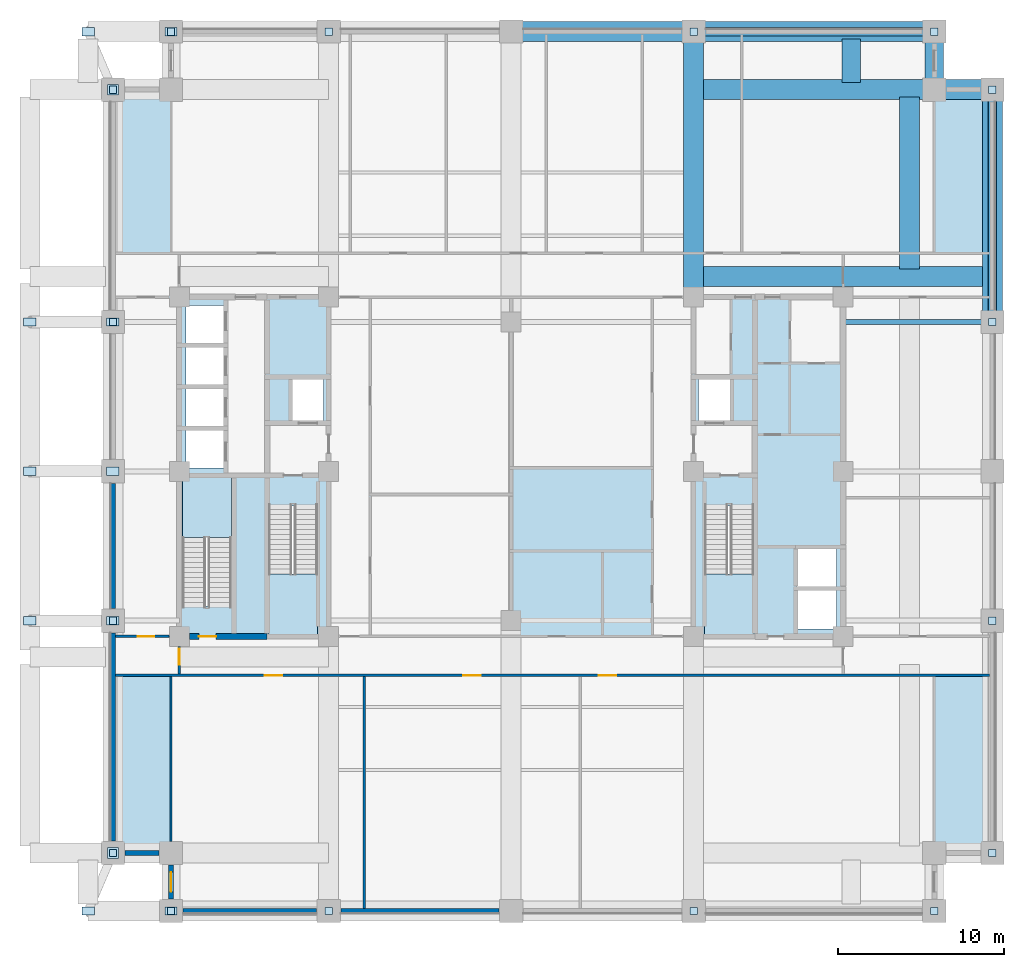
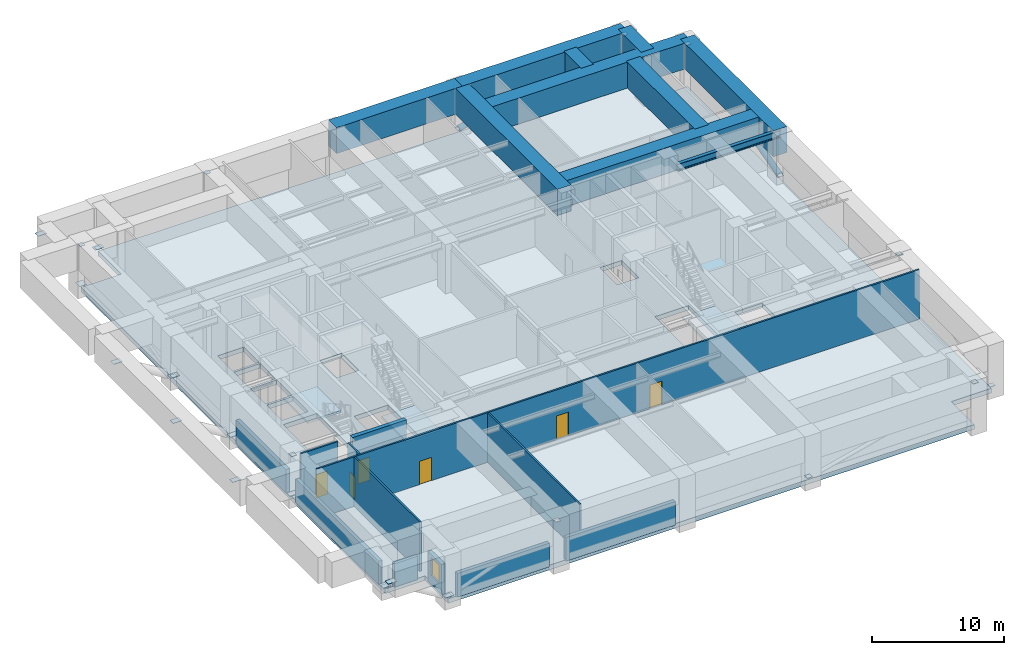
# One storey, part 2 of 11: 28 plates, 12 walls, 10 beams, 6 doors, 4 slabs, 2 members, 1 window, 7 openings, 3 elements without a shape of their own.
"""IFC4 building model written with IfcOpenShell, lengths in metres."""

from ifc_helpers import new_model, si_unit, direction, frame, frame_2d, origin, origin_2d, place, context, subcontext, project, spatial, polyline, rectangle, hollow_circle, i_section, outline, extrude, material, layer, layer_set, material_profile, profile_set, type_object, element, fill, aggregate, save


model = new_model("IFC4")

# Units and contexts
model_context = context("Model", 3, precision=1e-05, world=origin(), true_north=direction((0.0, 1.0)))
body_context = subcontext(model_context, "Body", "Model", "MODEL_VIEW")
ifc_project = project(units=[si_unit("LENGTHUNIT", "METRE"), si_unit("AREAUNIT", "SQUARE_METRE"), si_unit("VOLUMEUNIT", "CUBIC_METRE"), si_unit("PLANEANGLEUNIT", "RADIAN"), si_unit("MASSUNIT", "GRAM", prefix="KILO")], contexts=[model_context])

# Site, building, storey
site_placement = place(None, origin())
site = spatial("IfcSite", under=ifc_project, at=site_placement, CompositionType="ELEMENT")
building_placement = place(site_placement, origin())
building = spatial("IfcBuilding", under=site, at=building_placement, Name="Zulmaris Gate Convention Tower", CompositionType="ELEMENT")
storey_placement = place(building_placement, frame((0.0, 0.0, 52.18994140625)))
storey = spatial("IfcBuildingStorey", under=building, at=storey_placement, Name="L12", CompositionType="ELEMENT", Elevation=52.18994140625)

# Beams
ifc_material_1 = material(Name="Steel S355", Category="steel")
ifc_material_profile_1 = material_profile(ifc_material_1, i_section(OverallWidth=0.300048828125, OverallDepth=0.64990234375, WebThickness=0.01611328125, FlangeThickness=0.031005859375, FilletRadius=0.027099609375, at=origin_2d()), Name="HEB 650")
ifc_profile_set_1 = profile_set([ifc_material_profile_1], Name="Steel S355")
beam_type_1 = type_object("IfcBeamType", Name="BM-HEB650", PredefinedType="BEAM", material=ifc_profile_set_1)
beam_1_placement = place(storey_placement, frame((20.0, 9.0, 4.212890625), z_axis=(1.0, 0.0, 0.0), x_axis=(0.0, 1.0, 0.0)))
element("IfcBeam", 1, at=beam_1_placement, inside=storey, type_object=beam_type_1, Name="L12 Beam BM-L12-G21", PredefinedType="BEAM", context=body_context, shape_type="SweptSolid", body=[
    extrude(i_section(OverallWidth=0.300048828125, OverallDepth=0.64990234375, WebThickness=0.01611328125, FlangeThickness=0.031005859375, FilletRadius=0.027099609375, at=origin_2d()), origin(), (0.0, 0.0, 1.0), 9.0),
])
ifc_material_2 = material(Name="Concrete C80/95", Category="concrete")
ifc_material_profile_2 = material_profile(ifc_material_2, rectangle(XDim=1.10009765625, YDim=1.800048828125, at=origin_2d()), Name="RC TRANSFER 1100x1800")
ifc_profile_set_2 = profile_set([ifc_material_profile_2], Name="Concrete C80/95")
beam_type_2 = type_object("IfcBeamType", Name="BM-XFER1800", PredefinedType="BEAM", material=ifc_profile_set_2)
beam_2_placement = place(storey_placement, frame((25.5, 23.0, 3.675048828125), z_axis=(0.0, 1.0, 0.0), x_axis=(-1.0, 0.0, 0.0)))
element("IfcBeam", 2, at=beam_2_placement, inside=storey, type_object=beam_type_2, Name="L12 Beam XFCOLV-L12-CXEN", PredefinedType="BEAM", context=body_context, shape_type="SweptSolid", body=[
    extrude(rectangle(XDim=1.10009765625, YDim=1.800048828125, at=origin_2d()), origin(), (0.0, 0.0, 1.0), 3.5),
])
beam_3_placement = place(storey_placement, frame((20.5, 23.43505859375, 3.675048828125), z_axis=(0.0, 1.0, 0.0), x_axis=(-1.0, 0.0, 0.0)))
element("IfcBeam", 3, at=beam_3_placement, inside=storey, type_object=beam_type_2, Name="L12 Beam XFNCH-L12-EC-+23.0", PredefinedType="BEAM", context=body_context, shape_type="SweptSolid", body=[
    extrude(rectangle(XDim=1.10009765625, YDim=1.800048828125, at=origin_2d()), origin(), (0.0, 0.0, 1.0), 2.6298828125),
])
ifc_material_profile_3 = material_profile(ifc_material_2, rectangle(XDim=1.199951171875, YDim=2.39990234375, at=origin_2d()), Name="RC TRANSFER 1200x2400")
ifc_profile_set_3 = profile_set([ifc_material_profile_3], Name="Concrete C80/95")
beam_type_3 = type_object("IfcBeamType", Name="BM-XFER2400", PredefinedType="BEAM", material=ifc_profile_set_3)
beam_4_placement = place(storey_placement, frame((29.0, 9.0, 3.375), z_axis=(0.0, 1.0, 0.0), x_axis=(-1.0, 0.0, 0.0)))
element("IfcBeam", 4, at=beam_4_placement, inside=storey, type_object=beam_type_3, Name="L12 Beam XFCOLV-L12-XEN", PredefinedType="BEAM", context=body_context, shape_type="SweptSolid", body=[
    extrude(rectangle(XDim=1.199951171875, YDim=2.39990234375, at=origin_2d()), origin(), (0.0, 0.0, 1.0), 14.0),
])
beam_5_placement = place(storey_placement, frame((11.0, 10.5, 3.375), z_axis=(0.0, 1.0, 0.0), x_axis=(-1.0, 0.0, 0.0)))
element("IfcBeam", 5, at=beam_5_placement, inside=storey, type_object=beam_type_3, Name="L12 Beam XFCOLV-L12-C11EN", PredefinedType="BEAM", context=body_context, shape_type="SweptSolid", body=[
    extrude(rectangle(XDim=1.199951171875, YDim=2.39990234375, at=origin_2d()), origin(), (0.0, 0.0, 1.0), 16.0),
])
for number, where, z_axis, x_axis, name in (
    (6, (11.0, 11.75, 3.375), (1.0, 0.0, 0.0), (0.0, 1.0, 0.0), "L12 Beam XFREC-L12-E-+11.75"),
    (7, (11.0, 23.0, 3.375), (1.0, 0.0, 0.0), (0.0, 1.0, 0.0), "L12 Beam XFREC-L12-E-+23.00"),
):
    element("IfcBeam", number, at=place(storey_placement, frame(where, z_axis=z_axis, x_axis=x_axis)), inside=storey, type_object=beam_type_3, Name=name, PredefinedType="BEAM", context=body_context, shape_type="SweptSolid", body=[
        extrude(rectangle(XDim=1.199951171875, YDim=2.39990234375, at=origin_2d()), origin(), (0.0, 0.0, 1.0), 18.0),
    ])
beam_6_placement = place(storey_placement, frame((24.0, 12.18505859375, 3.375), z_axis=(0.0, 1.0, 0.0), x_axis=(-1.0, 0.0, 0.0)))
element("IfcBeam", 8, at=beam_6_placement, inside=storey, type_object=beam_type_3, Name="L12 Beam XFEDG-L12-EN", PredefinedType="BEAM", context=body_context, shape_type="SweptSolid", body=[
    extrude(rectangle(XDim=1.199951171875, YDim=2.39990234375, at=origin_2d()), origin(), (0.0, 0.0, 1.0), 10.3798828125),
])
beam_7_placement = place(storey_placement, frame((11.0, 26.5, 3.375), z_axis=(1.0, 0.0, 0.0), x_axis=(0.0, 1.0, 0.0)))
element("IfcBeam", 9, at=beam_7_placement, inside=storey, type_object=beam_type_3, Name="L12 Beam XFREC-L12-EC-+26.5", PredefinedType="BEAM", context=body_context, shape_type="SweptSolid", body=[
    extrude(rectangle(XDim=1.199951171875, YDim=2.39990234375, at=origin_2d()), origin(), (0.0, 0.0, 1.0), 14.5),
])
beam_8_placement = place(storey_placement, frame((0.0, 26.5, 3.375), z_axis=(1.0, 0.0, 0.0), x_axis=(0.0, 1.0, 0.0)))
element("IfcBeam", 10, at=beam_8_placement, inside=storey, type_object=beam_type_3, Name="L12 Beam XFREC-L12-M2-+26.5", PredefinedType="BEAM", context=body_context, shape_type="SweptSolid", body=[
    extrude(rectangle(XDim=1.199951171875, YDim=2.39990234375, at=origin_2d()), origin(), (0.0, 0.0, 1.0), 11.0),
])

# Members
ifc_material_3 = material(Name="Steel S460", Category="steel")
ifc_material_profile_4 = material_profile(ifc_material_3, hollow_circle(Radius=0.25390625, WallThickness=0.02490234375, at=origin_2d()), Name="CHS 508x25")
ifc_profile_set_4 = profile_set([ifc_material_profile_4], Name="Steel S460")
member_type = type_object("IfcMemberType", Name="BR-CHS508", PredefinedType="BRACE", material=ifc_profile_set_4)
member_1_placement = place(storey_placement, frame((29.0, 9.0, 0.300048828125), z_axis=(0.0, 0.967569054531, 0.252606660076), x_axis=(-1.0, 0.0, 0.0)))
element("IfcMember", 11, at=member_1_placement, inside=storey, type_object=member_type, Name="L12 Perimeter Tube Diagonal NE-E", PredefinedType="BRACE", context=body_context, shape_type="SweptSolid", body=[
    extrude(hollow_circle(Radius=0.25390625, WallThickness=0.02490234375, at=origin_2d()), origin(), (0.0, 0.0, 1.0), 14.46923828125),
])
member_2_placement = place(storey_placement, frame((11.0, 26.5, 0.300048828125), z_axis=(0.969668148656, 0.0, 0.244425206316), x_axis=(0.0, 1.0, 0.0)))
element("IfcMember", 12, at=member_2_placement, inside=storey, type_object=member_type, Name="L12 Perimeter Tube Diagonal NE-N", PredefinedType="BRACE", context=body_context, shape_type="SweptSolid", body=[
    extrude(hollow_circle(Radius=0.25390625, WallThickness=0.02490234375, at=origin_2d()), origin(), (0.0, 0.0, 1.0), 14.95361328125),
])

# Plates
ifc_layer_1 = layer(ifc_material_3, 0.02490234375, Name="Steel S460")
ifc_layer_set_1 = layer_set([ifc_layer_1], Name="Steel S460")
plate_type_1 = type_object("IfcPlateType", Name="NP-CAP-440", PredefinedType="USERDEFINED", material=ifc_layer_set_1)
for number, where, z_axis, x_axis, name in (
    (13, (-24.0, -23.0, 0.28759765625), (0.0, 0.0, 1.0), (1.0, 0.0, 0.0), "L12 Steel Node Plate PBR-L12-SW-W-CAP"),
    (14, (-24.0, -9.0, 3.942626953125), (0.0, 0.0, 1.0), (1.0, 0.0, 0.0), "L12 Steel Node Plate PBR-L12-SW-W-CAPB"),
    (15, (-24.0, 9.0, 0.28759765625), (0.0, 0.0, 1.0), (1.0, 0.0, 0.0), "L12 Steel Node Plate PBR-L12-NW-W-CAP"),
    (16, (-24.0, 23.0, 3.942626953125), (0.0, 0.0, 1.0), (1.0, 0.0, 0.0), "L12 Steel Node Plate PBR-L12-NW-W-CAPB"),
    (17, (29.0, -23.0, 0.28759765625), (0.0, 0.0, 1.0), (1.0, 0.0, 0.0), "L12 Steel Node Plate PBR-L12-SE-E-CAP"),
    (18, (29.0, -9.0, 3.942626953125), (0.0, 0.0, 1.0), (1.0, 0.0, 0.0), "L12 Steel Node Plate PBR-L12-SE-E-CAPB"),
    (19, (29.0, 9.0, 0.28759765625), (0.0, 0.0, 1.0), (1.0, 0.0, 0.0), "L12 Steel Node Plate PBR-L12-NE-E-CAP"),
    (20, (29.0, 23.0, 3.942626953125), (0.0, 0.0, 1.0), (1.0, 0.0, 0.0), "L12 Steel Node Plate PBR-L12-NE-E-CAPB"),
    (21, (-20.5, -26.5, 0.28759765625), (0.0, 0.0, 1.0), (1.0, 0.0, 0.0), "L12 Steel Node Plate PBR-L12-SW-S-CAP"),
    (22, (-11.0, -26.5, 3.942626953125), (0.0, 0.0, 1.0), (1.0, 0.0, 0.0), "L12 Steel Node Plate PBR-L12-SW-S-CAPB"),
    (23, (11.0, -26.5, 0.28759765625), (0.0, 0.0, 1.0), (1.0, 0.0, 0.0), "L12 Steel Node Plate PBR-L12-SE-S-CAP"),
    (24, (25.5, -26.5, 3.942626953125), (0.0, 0.0, 1.0), (1.0, 0.0, 0.0), "L12 Steel Node Plate PBR-L12-SE-S-CAPB"),
    (25, (-20.5, 26.5, 0.28759765625), (0.0, 0.0, 1.0), (1.0, 0.0, 0.0), "L12 Steel Node Plate PBR-L12-NW-N-CAP"),
    (26, (-11.0, 26.5, 3.942626953125), (0.0, 0.0, 1.0), (1.0, 0.0, 0.0), "L12 Steel Node Plate PBR-L12-NW-N-CAPB"),
    (27, (11.0, 26.5, 0.28759765625), (0.0, 0.0, 1.0), (1.0, 0.0, 0.0), "L12 Steel Node Plate PBR-L12-NE-N-CAP"),
    (28, (25.5, 26.5, 3.942626953125), (0.0, 0.0, 1.0), (1.0, 0.0, 0.0), "L12 Steel Node Plate PBR-L12-NE-N-CAPB"),
):
    element("IfcPlate", number, at=place(storey_placement, frame(where, z_axis=z_axis, x_axis=x_axis)), inside=storey, type_object=plate_type_1, Name=name, ObjectType="FLANGE PLATE", PredefinedType="USERDEFINED", context=body_context, shape_type="SweptSolid", body=[
        extrude(rectangle(XDim=0.43994140625, YDim=0.43994140625, at=origin_2d()), origin(), (0.0, 0.0, 1.0), 0.02490234375),
    ])
ifc_layer_2 = layer(ifc_material_3, 0.034912109375, Name="Steel S460")
ifc_layer_set_2 = layer_set([ifc_layer_2], Name="Steel S460")
plate_type_2 = type_object("IfcPlateType", Name="NP-GUS-650", PredefinedType="USERDEFINED", material=ifc_layer_set_2)
for number, where, z_axis, x_axis, name in (
    (29, (-24.0, -23.0, 0.33251953125), (0.0, 0.0, 1.0), (1.0, 0.0, 0.0), "L12 Steel Node Plate RKR2-L12-WC--26.5-P0"),
    (30, (-24.0, 23.0, 0.33251953125), (0.0, 0.0, 1.0), (1.0, 0.0, 0.0), "L12 Steel Node Plate RKR2-L12-WC-+26.5-P0"),
):
    element("IfcPlate", number, at=place(storey_placement, frame(where, z_axis=z_axis, x_axis=x_axis)), inside=storey, type_object=plate_type_2, Name=name, ObjectType="GUSSET PLATE", PredefinedType="USERDEFINED", context=body_context, shape_type="SweptSolid", body=[
        extrude(rectangle(XDim=0.64990234375, YDim=0.64990234375, at=origin_2d()), origin(), (0.0, 0.0, 1.0), 0.034912109375),
    ])
ifc_layer_3 = layer(ifc_material_3, 0.034912109375, Name="Steel S460")
ifc_layer_set_3 = layer_set([ifc_layer_3], Name="Steel S460")
plate_type_3 = type_object("IfcPlateType", Name="NP-GUS-750", PredefinedType="USERDEFINED", material=ifc_layer_set_3)
for number, where, z_axis, x_axis, name in (
    (31, (-24.0, -9.0, 0.33251953125), (0.0, 0.0, 1.0), (1.0, 0.0, 0.0), "L12 Steel Node Plate RKR-L12-W--9.0-P0"),
    (32, (-29.0, -9.0, 3.357421875), (0.0, 0.0, 1.0), (1.0, 0.0, 0.0), "L12 Steel Node Plate RKR-L12-W--9.0-P1"),
    (33, (-24.0, 0.0, 0.33251953125), (0.0, 0.0, 1.0), (1.0, 0.0, 0.0), "L12 Steel Node Plate RKR-L12-W-+0.0-P0"),
    (34, (-29.0, 0.0, 3.357421875), (0.0, 0.0, 1.0), (1.0, 0.0, 0.0), "L12 Steel Node Plate RKR-L12-W-+0.0-P1"),
    (35, (-24.0, 9.0, 0.33251953125), (0.0, 0.0, 1.0), (1.0, 0.0, 0.0), "L12 Steel Node Plate RKR-L12-W-+9.0-P0"),
    (36, (-29.0, 9.0, 3.357421875), (0.0, 0.0, 1.0), (1.0, 0.0, 0.0), "L12 Steel Node Plate RKR-L12-W-+9.0-P1"),
    (37, (-20.5, -26.5, 0.33251953125), (0.0, 0.0, 1.0), (1.0, 0.0, 0.0), "L12 Steel Node Plate RKR-L12-WC--26.5-P0"),
    (38, (-25.5, -26.5, 3.357421875), (0.0, 0.0, 1.0), (1.0, 0.0, 0.0), "L12 Steel Node Plate RKR-L12-WC--26.5-P1"),
    (39, (-20.5, 26.5, 0.33251953125), (0.0, 0.0, 1.0), (1.0, 0.0, 0.0), "L12 Steel Node Plate RKR-L12-WC-+26.5-P0"),
    (40, (-25.5, 26.5, 3.357421875), (0.0, 0.0, 1.0), (1.0, 0.0, 0.0), "L12 Steel Node Plate RKR-L12-WC-+26.5-P1"),
):
    element("IfcPlate", number, at=place(storey_placement, frame(where, z_axis=z_axis, x_axis=x_axis)), inside=storey, type_object=plate_type_3, Name=name, ObjectType="GUSSET PLATE", PredefinedType="USERDEFINED", context=body_context, shape_type="SweptSolid", body=[
        extrude(rectangle(XDim=0.75, YDim=0.5, at=origin_2d()), origin(), (0.0, 0.0, 1.0), 0.034912109375),
    ])

# Slab
ifc_material_4 = material(Name="Concrete C60/75", Category="concrete")
ifc_layer_4 = layer(ifc_material_4, 0.425048828125, Name="Concrete C60/75")
ifc_layer_set_4 = layer_set([ifc_layer_4], Name="Concrete C60/75")
slab_type_1 = type_object("IfcSlabType", Name="SL-FLR-425", PredefinedType="FLOOR", material=ifc_layer_set_4)
slab_1_placement = place(storey_placement, frame((0.0, 0.0, -0.425048828125)))
element("IfcSlab", 41, at=slab_1_placement, inside=storey, type_object=slab_type_1, Name="L12 Shifted Notched-Square Structural Floor Slab", PredefinedType="FLOOR", context=body_context, shape_type="SweptSolid", body=[
    extrude(outline(polyline([(-20.5, -26.5), (25.5, -26.5), (25.5, -23.0), (29.0, -23.0), (29.0, 23.0), (25.5, 23.0), (25.5, 26.5), (-20.5, 26.5), (-20.5, 23.0), (-24.0, 23.0), (-24.0, -23.0), (-20.5, -23.0), (-20.5, -26.5)]), holes=[polyline([(-14.6201171875, -2.080078125), (-14.6201171875, -9.85009765625), (-11.659912109375, -9.85009765625), (-11.659912109375, -2.080078125), (-14.6201171875, -2.080078125)]), polyline([(11.659912109375, -2.080078125), (11.659912109375, -9.85009765625), (14.6201171875, -9.85009765625), (14.6201171875, -2.080078125), (11.659912109375, -2.080078125)]), polyline([(-16.860107421875, -8.1201171875), (-16.860107421875, -0.35009765625), (-19.820068359375, -0.35009765625), (-19.820068359375, -8.1201171875), (-16.860107421875, -8.1201171875)]), polyline([(-13.199951171875, 3.0), (-11.300048828125, 3.0), (-11.300048828125, 5.60009765625), (-13.199951171875, 5.60009765625), (-13.199951171875, 3.0)]), polyline([(11.300048828125, 3.0), (13.199951171875, 3.0), (13.199951171875, 5.60009765625), (11.300048828125, 5.60009765625), (11.300048828125, 3.0)]), polyline([(-19.60009765625, 0.199951171875), (-17.300048828125, 0.199951171875), (-17.300048828125, 2.5), (-19.60009765625, 2.5), (-19.60009765625, 0.199951171875)]), polyline([(-19.60009765625, 2.699951171875), (-17.300048828125, 2.699951171875), (-17.300048828125, 5.0), (-19.60009765625, 5.0), (-19.60009765625, 2.699951171875)]), polyline([(-19.60009765625, 5.199951171875), (-17.300048828125, 5.199951171875), (-17.300048828125, 7.5), (-19.60009765625, 7.5), (-19.60009765625, 5.199951171875)]), polyline([(-19.60009765625, 7.699951171875), (-17.300048828125, 7.699951171875), (-17.300048828125, 10.0), (-19.60009765625, 10.0), (-19.60009765625, 7.699951171875)]), polyline([(17.199951171875, -9.5), (19.60009765625, -9.5), (19.60009765625, -7.10009765625), (17.199951171875, -7.10009765625), (17.199951171875, -9.5)]), polyline([(17.199951171875, -7.0), (19.60009765625, -7.0), (19.60009765625, -4.60009765625), (17.199951171875, -4.60009765625), (17.199951171875, -7.0)])]), origin(), (0.0, 0.0, 1.0), 0.425048828125),
])

# Stair, slab
ifc_material_5 = material(Name="Concrete C45/55", Category="concrete")
stair_type = type_object("IfcStairType", Name="ST-CORE-DOGLEG", PredefinedType="HALF_TURN_STAIR", material=ifc_material_5)
stair_1_placement = place(storey_placement, origin())
stair_1 = element("IfcStair", 42, at=stair_1_placement, inside=storey, type_object=stair_type, Name="L12 Core Exit Stair ST-1", PredefinedType="HALF_TURN_STAIR")
ifc_layer_5 = layer(ifc_material_5, 0.199951171875, Name="Concrete C45/55")
ifc_layer_set_5 = layer_set([ifc_layer_5], Name="Concrete C45/55")
slab_type_2 = type_object("IfcSlabType", Name="SL-LND-200", PredefinedType="LANDING", material=ifc_layer_set_5)
slab_2_placement = place(storey_placement, frame((0.0, 0.0, 2.300048828125)))
slab_2 = element("IfcSlab", 43, at=slab_2_placement, type_object=slab_type_2, Name="ST-1 landing 1", PredefinedType="LANDING", context=body_context, shape_type="SweptSolid", body=[
    extrude(outline(polyline([(-14.6201171875, -6.199951171875), (-14.6201171875, -9.85009765625), (-11.659912109375, -9.85009765625), (-11.659912109375, -6.199951171875), (-14.6201171875, -6.199951171875)])), origin(), (0.0, 0.0, 1.0), 0.199951171875),
])
aggregate(stair_1, [slab_2])

stair_2_placement = place(storey_placement, origin())
stair_2 = element("IfcStair", 44, at=stair_2_placement, inside=storey, type_object=stair_type, Name="L12 Core Exit Stair ST-2", PredefinedType="HALF_TURN_STAIR")
slab_3_placement = place(storey_placement, frame((0.0, 0.0, 2.300048828125)))
slab_3 = element("IfcSlab", 45, at=slab_3_placement, type_object=slab_type_2, Name="ST-2 landing 1", PredefinedType="LANDING", context=body_context, shape_type="SweptSolid", body=[
    extrude(outline(polyline([(11.659912109375, -6.199951171875), (11.659912109375, -9.85009765625), (14.6201171875, -9.85009765625), (14.6201171875, -6.199951171875), (11.659912109375, -6.199951171875)])), origin(), (0.0, 0.0, 1.0), 0.199951171875),
])
aggregate(stair_2, [slab_3])

stair_3_placement = place(storey_placement, origin())
stair_3 = element("IfcStair", 46, at=stair_3_placement, inside=storey, type_object=stair_type, Name="L12 Core Exit Stair ST-3", PredefinedType="HALF_TURN_STAIR")
slab_4_placement = place(storey_placement, frame((0.0, 0.0, 2.300048828125)))
slab_4 = element("IfcSlab", 47, at=slab_4_placement, type_object=slab_type_2, Name="ST-3 landing 1", PredefinedType="LANDING", context=body_context, shape_type="SweptSolid", body=[
    extrude(outline(polyline([(-16.860107421875, -4.0), (-16.860107421875, -0.35009765625), (-19.820068359375, -0.35009765625), (-19.820068359375, -4.0), (-16.860107421875, -4.0)])), origin(), (0.0, 0.0, 1.0), 0.199951171875),
])
aggregate(stair_3, [slab_4])

# Wall, opening, door
ifc_material_6 = material(Name="Concrete C55/67", Category="concrete")
ifc_layer_6 = layer(ifc_material_6, 0.35009765625, Name="Concrete C55/67")
ifc_layer_set_6 = layer_set([ifc_layer_6], Name="Concrete C55/67")
wall_type_1 = type_object("IfcWallType", Name="CORE-350", PredefinedType="SHEAR", material=ifc_layer_set_6)
wall_1_placement = place(storey_placement, frame((-19.39599609375, -9.949951171875, 0.0), z_axis=(0.0, 0.0, 1.0), x_axis=(1.0, 0.0, 0.0)))
wall_1 = element("IfcWall", 48, at=wall_1_placement, inside=storey, type_object=wall_type_1, Name="WL-L12-001", PredefinedType="SHEAR", context=body_context, shape_type="SweptSolid", body=[
    extrude(rectangle(XDim=4.696044921875, YDim=0.35009765625, at=frame_2d((2.34814453125, 0.0))), origin(), (0.0, 0.0, 1.0), 4.574951171875),
])
opening_1_placement = place(wall_1_placement, frame((0.571044921875, 0.0, 0.0)))
opening_1 = element("IfcOpeningElement", 49, at=opening_1_placement, cuts=wall_1, Name="Opening D-09", PredefinedType="OPENING", context=body_context, shape_type="SweptSolid", body=[
    extrude(rectangle(XDim=1.050048828125, YDim=2.14990234375, at=frame_2d((0.52490234375, 1.074951171875))), frame((0.0, 0.18505859375, 0.0), z_axis=(0.0, -1.0, 0.0), x_axis=(1.0, 0.0, 0.0)), (0.0, 0.0, 1.0), 0.3701171875),
])
ifc_material_7 = material(Name="Fire-Rated Steel", Category="steel")
door_type_1 = type_object("IfcDoorType", Name="DR-1050-FD", OperationType="NOTDEFINED", PredefinedType="DOOR", material=ifc_material_7)
door_1_placement = place(opening_1_placement, origin())
door_1 = element("IfcDoor", 50, at=door_1_placement, inside=storey, type_object=door_type_1, Name="L12 Exit Stair ST-3 Door 10", OperationType="SINGLE_SWING_RIGHT", OverallHeight=2.14990234375, OverallWidth=1.050048828125, PredefinedType="DOOR", context=body_context, shape_type="SweptSolid", body=[
    extrude(rectangle(XDim=1.050048828125, YDim=2.14990234375, at=frame_2d((0.52490234375, 1.074951171875))), frame((0.0, 0.02490234375, 0.0), z_axis=(0.0, -1.0, 0.0), x_axis=(1.0, 0.0, 0.0)), (0.0, 0.0, 1.0), 0.050048828125),
])
fill(opening_1, door_1)

# Wall, openings, doors
ifc_material_8 = material(Name="Gypsum Metal Stud Partition")
ifc_layer_7 = layer(ifc_material_8, 0.14990234375, Name="Gypsum Metal Stud Partition")
ifc_layer_set_7 = layer_set([ifc_layer_7], Name="Gypsum Metal Stud Partition")
wall_type_2 = type_object("IfcWallType", Name="PART-150", PredefinedType="PARTITIONING", material=ifc_layer_set_7)
wall_2_placement = place(storey_placement, frame((-23.8349609375, -12.300048828125, 0.0), z_axis=(0.0, 0.0, 1.0), x_axis=(1.0, 0.0, 0.0)))
wall_2 = element("IfcWall", 51, at=wall_2_placement, inside=storey, type_object=wall_type_2, Name="WL-L12-020", PredefinedType="PARTITIONING", context=body_context, shape_type="SweptSolid", body=[
    extrude(rectangle(XDim=52.669921875, YDim=0.14990234375, at=frame_2d((26.3349609375, 0.0))), origin(), (0.0, 0.0, 1.0), 4.574951171875),
])
opening_2_placement = place(wall_2_placement, frame((8.989990234375, 0.0, 0.0)))
opening_2 = element("IfcOpeningElement", 52, at=opening_2_placement, cuts=wall_2, Name="Opening D-09", PredefinedType="OPENING", context=body_context, shape_type="SweptSolid", body=[
    extrude(rectangle(XDim=1.050048828125, YDim=2.14990234375, at=frame_2d((0.52490234375, 1.074951171875))), frame((0.0, 0.0849609375, 0.0), z_axis=(0.0, -1.0, 0.0), x_axis=(1.0, 0.0, 0.0)), (0.0, 0.0, 1.0), 0.169921875),
])
opening_3_placement = place(wall_2_placement, frame((20.9599609375, 0.0, 0.0)))
opening_3 = element("IfcOpeningElement", 53, at=opening_3_placement, cuts=wall_2, Name="Opening D-09", PredefinedType="OPENING", context=body_context, shape_type="SweptSolid", body=[
    extrude(rectangle(XDim=1.050048828125, YDim=2.14990234375, at=frame_2d((0.52490234375, 1.074951171875))), frame((0.0, 0.0849609375, 0.0), z_axis=(0.0, -1.0, 0.0), x_axis=(1.0, 0.0, 0.0)), (0.0, 0.0, 1.0), 0.169921875),
])
opening_4_placement = place(wall_2_placement, frame((29.110107421875, 0.0, 0.0)))
opening_4 = element("IfcOpeningElement", 54, at=opening_4_placement, cuts=wall_2, Name="Opening D-09", PredefinedType="OPENING", context=body_context, shape_type="SweptSolid", body=[
    extrude(rectangle(XDim=1.050048828125, YDim=2.14990234375, at=frame_2d((0.52490234375, 1.074951171875))), frame((0.0, 0.0849609375, 0.0), z_axis=(0.0, -1.0, 0.0), x_axis=(1.0, 0.0, 0.0)), (0.0, 0.0, 1.0), 0.169921875),
])
door_2_placement = place(opening_2_placement, origin())
door_2 = element("IfcDoor", 55, at=door_2_placement, inside=storey, type_object=door_type_1, Name="L12 Partner Corner Office Door 32", OperationType="SINGLE_SWING_RIGHT", OverallHeight=2.14990234375, OverallWidth=1.050048828125, PredefinedType="DOOR", context=body_context, shape_type="SweptSolid", body=[
    extrude(rectangle(XDim=1.050048828125, YDim=2.14990234375, at=frame_2d((0.52490234375, 1.074951171875))), frame((0.0, 0.02490234375, 0.0), z_axis=(0.0, -1.0, 0.0), x_axis=(1.0, 0.0, 0.0)), (0.0, 0.0, 1.0), 0.050048828125),
])
fill(opening_2, door_2)
door_3_placement = place(opening_3_placement, origin())
door_3 = element("IfcDoor", 56, at=door_3_placement, inside=storey, type_object=door_type_1, Name="L12 Advisory Suite Office Door 33", OperationType="SINGLE_SWING_LEFT", OverallHeight=2.14990234375, OverallWidth=1.050048828125, PredefinedType="DOOR", context=body_context, shape_type="SweptSolid", body=[
    extrude(rectangle(XDim=1.050048828125, YDim=2.14990234375, at=frame_2d((0.52490234375, 1.074951171875))), frame((0.0, 0.02490234375, 0.0), z_axis=(0.0, -1.0, 0.0), x_axis=(1.0, 0.0, 0.0)), (0.0, 0.0, 1.0), 0.050048828125),
])
fill(opening_3, door_3)
door_4_placement = place(opening_4_placement, origin())
door_4 = element("IfcDoor", 57, at=door_4_placement, inside=storey, type_object=door_type_1, Name="L12 Open Plan Workplace Door 34", OperationType="SINGLE_SWING_RIGHT", OverallHeight=2.14990234375, OverallWidth=1.050048828125, PredefinedType="DOOR", context=body_context, shape_type="SweptSolid", body=[
    extrude(rectangle(XDim=1.050048828125, YDim=2.14990234375, at=frame_2d((0.52490234375, 1.074951171875))), frame((0.0, 0.02490234375, 0.0), z_axis=(0.0, -1.0, 0.0), x_axis=(1.0, 0.0, 0.0)), (0.0, 0.0, 1.0), 0.050048828125),
])
fill(opening_4, door_4)

# Wall, opening, door
wall_3_placement = place(storey_placement, frame((-23.8349609375, -9.949951171875, 0.0), z_axis=(0.0, 0.0, 1.0), x_axis=(1.0, 0.0, 0.0)))
wall_3 = element("IfcWall", 58, at=wall_3_placement, inside=storey, type_object=wall_type_2, Name="WL-L12-021", PredefinedType="PARTITIONING", context=body_context, shape_type="SweptSolid", body=[
    extrude(rectangle(XDim=3.22900390625, YDim=0.14990234375, at=frame_2d((1.614501953125, 0.0))), origin(), (0.0, 0.0, 1.0), 4.574951171875),
])
opening_5_placement = place(wall_3_placement, frame((1.3349609375, 0.0, 0.0)))
opening_5 = element("IfcOpeningElement", 59, at=opening_5_placement, cuts=wall_3, Name="Opening D-10", PredefinedType="OPENING", context=body_context, shape_type="SweptSolid", body=[
    extrude(rectangle(XDim=1.0, YDim=2.14990234375, at=frame_2d((0.5, 1.074951171875))), frame((0.0, 0.0849609375, 0.0), z_axis=(0.0, -1.0, 0.0), x_axis=(1.0, 0.0, 0.0)), (0.0, 0.0, 1.0), 0.169921875),
])
ifc_material_9 = material(Name="Fire-Rated Timber", Category="wood")
door_type_2 = type_object("IfcDoorType", Name="DR-1000-FD", OperationType="NOTDEFINED", PredefinedType="DOOR", material=ifc_material_9)
door_5_placement = place(opening_5_placement, origin())
door_5 = element("IfcDoor", 60, at=door_5_placement, inside=storey, type_object=door_type_2, Name="L12 West Workplace South Door 44", OperationType="SINGLE_SWING_RIGHT", OverallHeight=2.14990234375, OverallWidth=1.0, PredefinedType="DOOR", context=body_context, shape_type="SweptSolid", body=[
    extrude(rectangle(XDim=1.0, YDim=2.14990234375, at=frame_2d((0.5, 1.074951171875))), frame((0.0, 0.02490234375, 0.0), z_axis=(0.0, -1.0, 0.0), x_axis=(1.0, 0.0, 0.0)), (0.0, 0.0, 1.0), 0.050048828125),
])
fill(opening_5, door_5)

# Wall
wall_4_placement = place(storey_placement, frame((-20.5, -22.2939453125, 0.0), z_axis=(0.0, 0.0, 1.0), x_axis=(0.0, 1.0, 0.0)))
element("IfcWall", 61, at=wall_4_placement, inside=storey, type_object=wall_type_2, Name="WL-L12-070", PredefinedType="PARTITIONING", context=body_context, shape_type="SweptSolid", body=[
    extrude(rectangle(XDim=9.916015625, YDim=0.14990234375, at=frame_2d((4.9580078125, 0.0))), origin(), (0.0, 0.0, 1.0), 4.574951171875),
])

# Wall, opening, door
wall_5_placement = place(storey_placement, frame((-20.0, -12.221923828125, 0.0), z_axis=(0.0, 0.0, 1.0), x_axis=(0.0, 1.0, 0.0)))
wall_5 = element("IfcWall", 62, at=wall_5_placement, inside=storey, type_object=wall_type_2, Name="WL-L12-072", PredefinedType="PARTITIONING", context=body_context, shape_type="SweptSolid", body=[
    extrude(rectangle(XDim=1.666015625, YDim=0.14990234375, at=frame_2d((0.8330078125, 0.0))), origin(), (0.0, 0.0, 1.0), 4.574951171875),
])
opening_6_placement = place(wall_5_placement, frame((0.56591796875, 0.0, 0.0)))
opening_6 = element("IfcOpeningElement", 63, at=opening_6_placement, cuts=wall_5, Name="Opening D-25", PredefinedType="OPENING", context=body_context, shape_type="SweptSolid", body=[
    extrude(rectangle(XDim=0.949951171875, YDim=2.02001953125, at=frame_2d((0.47509765625, 1.010009765625))), frame((0.0, 0.0849609375, 0.0), z_axis=(0.0, -1.0, 0.0), x_axis=(1.0, 0.0, 0.0)), (0.0, 0.0, 1.0), 0.169921875),
])
door_type_3 = type_object("IfcDoorType", Name="DR-950-LOW-FD", OperationType="NOTDEFINED", PredefinedType="DOOR", material=ifc_material_7)
door_6_placement = place(opening_6_placement, origin())
door_6 = element("IfcDoor", 64, at=door_6_placement, inside=storey, type_object=door_type_3, Name="L12 SW Spur Door 42", OperationType="SINGLE_SWING_RIGHT", OverallHeight=2.02001953125, OverallWidth=0.949951171875, PredefinedType="DOOR", context=body_context, shape_type="SweptSolid", body=[
    extrude(rectangle(XDim=0.949951171875, YDim=2.02001953125, at=frame_2d((0.47509765625, 1.010009765625))), frame((0.0, 0.02490234375, 0.0), z_axis=(0.0, -1.0, 0.0), x_axis=(1.0, 0.0, 0.0)), (0.0, 0.0, 1.0), 0.050048828125),
])
fill(opening_6, door_6)

# Walls
wall_6_placement = place(storey_placement, frame((-8.85009765625, -26.3349609375, 0.0), z_axis=(0.0, 0.0, 1.0), x_axis=(0.0, 1.0, 0.0)))
element("IfcWall", 65, at=wall_6_placement, inside=storey, type_object=wall_type_2, Name="WL-L12-075", PredefinedType="PARTITIONING", context=body_context, shape_type="SweptSolid", body=[
    extrude(rectangle(XDim=13.95703125, YDim=0.14990234375, at=frame_2d((6.978515625, 0.0))), origin(), (0.0, 0.0, 1.0), 4.574951171875),
])
ifc_material_10 = material(Name="Precast concrete C40/50", Category="concrete")
ifc_layer_8 = layer(ifc_material_10, 0.300048828125, Name="Precast concrete C40/50")
ifc_layer_set_8 = layer_set([ifc_layer_8], Name="Precast concrete C40/50")
wall_type_3 = type_object("IfcWallType", Name="PRECAST-PIER-300", PredefinedType="STANDARD", material=ifc_layer_set_8)
wall_7_placement = place(storey_placement, frame((-23.27001953125, -23.0, 0.0), z_axis=(0.0, 0.0, 1.0), x_axis=(1.0, 0.0, 0.0)))
element("IfcWall", 66, at=wall_7_placement, inside=storey, type_object=wall_type_3, Name="EW-L12-NOTCH-SW1_0", PredefinedType="STANDARD", context=body_context, shape_type="SweptSolid", body=[
    extrude(rectangle(XDim=2.0400390625, YDim=0.300048828125, at=frame_2d((1.02001953125, 0.0))), origin(), (0.0, 0.0, 1.0), 2.1669921875),
])

# Wall, opening, window
wall_8_placement = place(storey_placement, frame((-20.5, -23.72998046875, 0.0), z_axis=(0.0, 0.0, 1.0), x_axis=(0.0, -1.0, 0.0)))
wall_8 = element("IfcWall", 67, at=wall_8_placement, inside=storey, type_object=wall_type_3, Name="EW-L12-NOTCH-SW2_0", PredefinedType="STANDARD", context=body_context, shape_type="SweptSolid", body=[
    extrude(rectangle(XDim=2.0400390625, YDim=0.300048828125, at=frame_2d((1.02001953125, 0.0))), origin(), (0.0, 0.0, 1.0), 2.766845703125),
])
opening_7_placement = place(wall_8_placement, frame((0.419921875, 0.0, 0.820068359375)))
opening_7 = element("IfcOpeningElement", 68, at=opening_7_placement, cuts=wall_8, Name="Opening W-04", PredefinedType="OPENING", context=body_context, shape_type="SweptSolid", body=[
    extrude(rectangle(XDim=1.199951171875, YDim=1.64990234375, at=frame_2d((0.60009765625, 0.824951171875))), frame((0.0, 0.16015625, 0.0), z_axis=(0.0, -1.0, 0.0), x_axis=(1.0, 0.0, 0.0)), (0.0, 0.0, 1.0), 0.320068359375),
])
ifc_material_11 = material(Name="Low-E Laminated Double Glazing in Aluminium Frame", Category="aluminium")
window_type = type_object("IfcWindowType", Name="WIN-1200x2100", PartitioningType="SINGLE_PANEL", PredefinedType="WINDOW", material=ifc_material_11)
window_placement = place(opening_7_placement, origin())
window = element("IfcWindow", 69, at=window_placement, inside=storey, type_object=window_type, Name="WN-EW-L12-NOTCH-SW2_0", OverallHeight=1.64990234375, OverallWidth=1.199951171875, PartitioningType="SINGLE_PANEL", PredefinedType="WINDOW", context=body_context, shape_type="SweptSolid", body=[
    extrude(rectangle(XDim=1.199951171875, YDim=1.64990234375, at=frame_2d((0.60009765625, 0.824951171875))), frame((0.0, 0.030029296875, 0.0), z_axis=(0.0, -1.0, 0.0), x_axis=(1.0, 0.0, 0.0)), (0.0, 0.0, 1.0), 0.06005859375),
])
fill(opening_7, window)

# Walls
wall_9_placement = place(storey_placement, frame((-19.77001953125, -26.5, 0.0), z_axis=(0.0, 0.0, 1.0), x_axis=(1.0, 0.0, 0.0)))
element("IfcWall", 70, at=wall_9_placement, inside=storey, type_object=wall_type_3, Name="EW-L12-S-0_0", PredefinedType="STANDARD", context=body_context, shape_type="SweptSolid", body=[
    extrude(rectangle(XDim=8.0400390625, YDim=0.300048828125, at=frame_2d((4.02001953125, 0.0))), origin(), (0.0, 0.0, 1.0), 2.1669921875),
])
wall_10_placement = place(storey_placement, frame((-10.27001953125, -26.5, 0.0), z_axis=(0.0, 0.0, 1.0), x_axis=(1.0, 0.0, 0.0)))
element("IfcWall", 71, at=wall_10_placement, inside=storey, type_object=wall_type_3, Name="EW-L12-S-1_0", PredefinedType="STANDARD", context=body_context, shape_type="SweptSolid", body=[
    extrude(rectangle(XDim=9.5400390625, YDim=0.300048828125, at=frame_2d((4.77001953125, 0.0))), origin(), (0.0, 0.0, 1.0), 2.1669921875),
])
wall_11_placement = place(storey_placement, frame((-24.0, -9.72998046875, 0.0), z_axis=(0.0, 0.0, 1.0), x_axis=(0.0, -1.0, 0.0)))
element("IfcWall", 72, at=wall_11_placement, inside=storey, type_object=wall_type_3, Name="EW-L12-W-0_0", PredefinedType="STANDARD", context=body_context, shape_type="SweptSolid", body=[
    extrude(rectangle(XDim=12.5400390625, YDim=0.300048828125, at=frame_2d((6.27001953125, 0.0))), origin(), (0.0, 0.0, 1.0), 2.1669921875),
])
wall_12_placement = place(storey_placement, frame((-24.0, -0.72998046875, 0.0), z_axis=(0.0, 0.0, 1.0), x_axis=(0.0, -1.0, 0.0)))
element("IfcWall", 73, at=wall_12_placement, inside=storey, type_object=wall_type_3, Name="EW-L12-W-1_0", PredefinedType="STANDARD", context=body_context, shape_type="SweptSolid", body=[
    extrude(rectangle(XDim=7.5400390625, YDim=0.300048828125, at=frame_2d((3.77001953125, 0.0))), origin(), (0.0, 0.0, 1.0), 2.1669921875),
])

save(model, "model.ifc")
